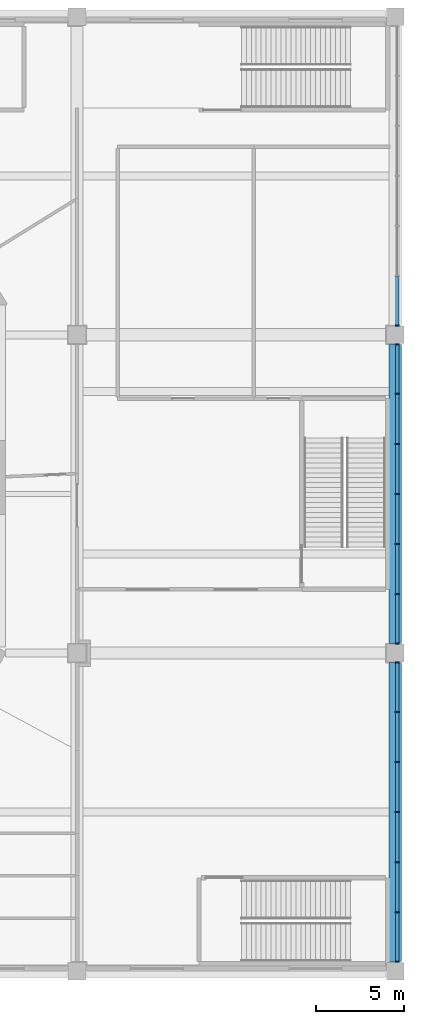
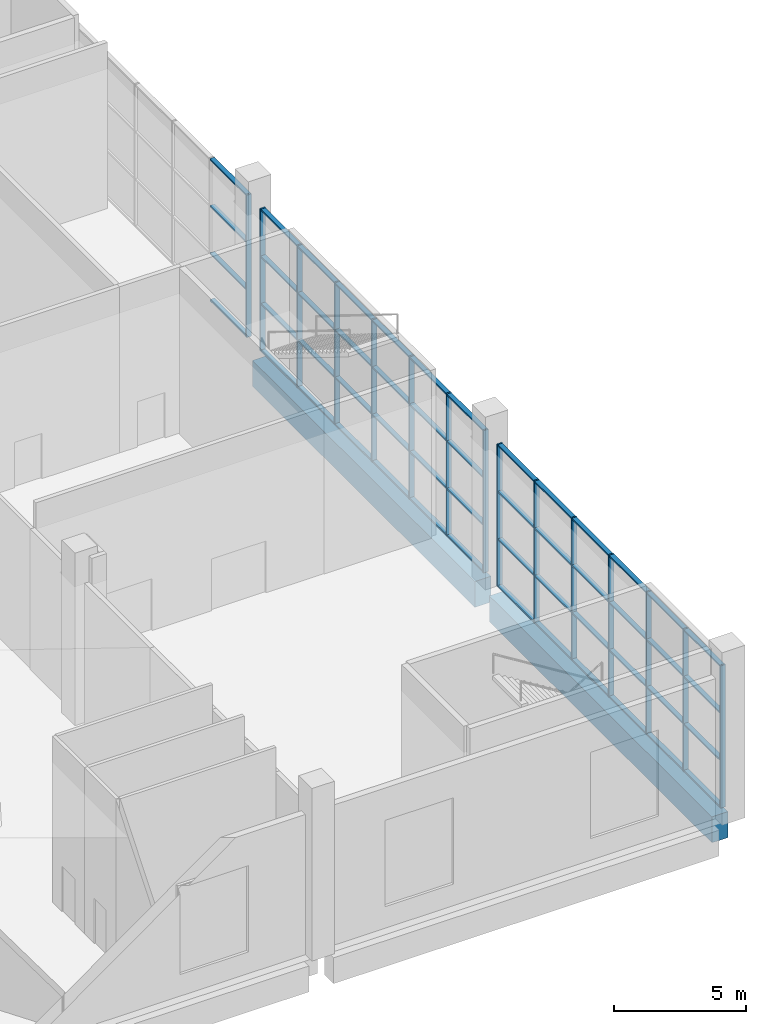
# One storey, part 2 of 15: 67 members, 2 beams, 3 elements without a shape of their own.
"""IFC4 building model written with IfcOpenShell, lengths in metres."""

from ifc_helpers import new_model, si_unit, direction, frame, origin, origin_2d, place, context, subcontext, project, spatial, rectangle, extrude, material, material_profile, profile_set, type_object, element, aggregate, save


model = new_model("IFC4")

# Units and contexts
model_context = context("Model", 3, precision=1e-05, world=origin(), true_north=direction((0.0, 1.0)))
body_context = subcontext(model_context, "Body", "Model", "MODEL_VIEW")
ifc_project = project(units=[si_unit("LENGTHUNIT", "METRE"), si_unit("AREAUNIT", "SQUARE_METRE"), si_unit("VOLUMEUNIT", "CUBIC_METRE"), si_unit("PLANEANGLEUNIT", "RADIAN"), si_unit("MASSUNIT", "GRAM", prefix="KILO")], contexts=[model_context])

# Site, building, storey
site_placement = place(None, origin())
site = spatial("IfcSite", under=ifc_project, at=site_placement, CompositionType="ELEMENT")
building_placement = place(site_placement, origin())
building = spatial("IfcBuilding", under=site, at=building_placement, Name="Vanh Sen Convention Tower", CompositionType="ELEMENT")
storey_placement = place(building_placement, frame((0.0, 0.0, 13.0)))
storey = spatial("IfcBuildingStorey", under=building, at=storey_placement, Name="L02", CompositionType="ELEMENT", Elevation=13.0)

# Curtain wall, members
ifc_material_1 = material(Name="Aluminium structural glazing system", Category="aluminium")
curtain_wall_type = type_object("IfcCurtainWallType", Name="Podium hall structural glazing", PredefinedType="NOTDEFINED", material=ifc_material_1)
curtain_wall_1_placement = place(storey_placement, origin())
curtain_wall_1 = element("IfcCurtainWall", 1, at=curtain_wall_1_placement, inside=storey, type_object=curtain_wall_type, Name="Podium hall glazing 1 L02", PredefinedType="NOTDEFINED")
ifc_material_2 = material(Name="Aluminium mullion", Category="aluminium")
ifc_material_profile_1 = material_profile(ifc_material_2, rectangle(XDim=0.219970703125, YDim=0.070068359375, at=origin_2d()), Name="Hall glazing mullion 70 x 220")
ifc_profile_set_1 = profile_set([ifc_material_profile_1], Name="Aluminium mullion")
member_type_1 = type_object("IfcMemberType", Name="Hall glazing mullion 70 x 220", PredefinedType="MULLION", material=ifc_profile_set_1)
member_1_placement = place(storey_placement, frame((45.110107421875, -26.465087890625, 0.0), z_axis=(0.0, 0.0, 1.0), x_axis=(-1.0, 0.0, 0.0)))
member_1 = element("IfcMember", 2, at=member_1_placement, type_object=member_type_1, Name="CW4 mullion 1", PredefinedType="MULLION", context=body_context, shape_type="SweptSolid", body=[
    extrude(rectangle(XDim=0.219970703125, YDim=0.070068359375, at=origin_2d()), origin(), (0.0, 0.0, 1.0), 6.60009765625),
])
member_2_placement = place(storey_placement, frame((45.110107421875, -23.666748046875, 0.0), z_axis=(0.0, 0.0, 1.0), x_axis=(-1.0, 0.0, 0.0)))
member_2 = element("IfcMember", 3, at=member_2_placement, type_object=member_type_1, Name="CW4 mullion 2", PredefinedType="MULLION", context=body_context, shape_type="SweptSolid", body=[
    extrude(rectangle(XDim=0.219970703125, YDim=0.070068359375, at=origin_2d()), origin(), (0.0, 0.0, 1.0), 6.60009765625),
])
member_3_placement = place(storey_placement, frame((45.110107421875, -20.833251953125, 0.0), z_axis=(0.0, 0.0, 1.0), x_axis=(-1.0, 0.0, 0.0)))
member_3 = element("IfcMember", 4, at=member_3_placement, type_object=member_type_1, Name="CW4 mullion 3", PredefinedType="MULLION", context=body_context, shape_type="SweptSolid", body=[
    extrude(rectangle(XDim=0.219970703125, YDim=0.070068359375, at=origin_2d()), origin(), (0.0, 0.0, 1.0), 6.60009765625),
])
member_4_placement = place(storey_placement, frame((45.110107421875, -18.0, 0.0), z_axis=(0.0, 0.0, 1.0), x_axis=(-1.0, 0.0, 0.0)))
member_4 = element("IfcMember", 5, at=member_4_placement, type_object=member_type_1, Name="CW4 mullion 4", PredefinedType="MULLION", context=body_context, shape_type="SweptSolid", body=[
    extrude(rectangle(XDim=0.219970703125, YDim=0.070068359375, at=origin_2d()), origin(), (0.0, 0.0, 1.0), 6.60009765625),
])
member_5_placement = place(storey_placement, frame((45.110107421875, -15.166748046875, 0.0), z_axis=(0.0, 0.0, 1.0), x_axis=(-1.0, 0.0, 0.0)))
member_5 = element("IfcMember", 6, at=member_5_placement, type_object=member_type_1, Name="CW4 mullion 5", PredefinedType="MULLION", context=body_context, shape_type="SweptSolid", body=[
    extrude(rectangle(XDim=0.219970703125, YDim=0.070068359375, at=origin_2d()), origin(), (0.0, 0.0, 1.0), 6.60009765625),
])
member_6_placement = place(storey_placement, frame((45.110107421875, -12.333251953125, 0.0), z_axis=(0.0, 0.0, 1.0), x_axis=(-1.0, 0.0, 0.0)))
member_6 = element("IfcMember", 7, at=member_6_placement, type_object=member_type_1, Name="CW4 mullion 6", PredefinedType="MULLION", context=body_context, shape_type="SweptSolid", body=[
    extrude(rectangle(XDim=0.219970703125, YDim=0.070068359375, at=origin_2d()), origin(), (0.0, 0.0, 1.0), 6.60009765625),
])
member_7_placement = place(storey_placement, frame((45.110107421875, -9.534912109375, 0.0), z_axis=(0.0, 0.0, 1.0), x_axis=(-1.0, 0.0, 0.0)))
member_7 = element("IfcMember", 8, at=member_7_placement, type_object=member_type_1, Name="CW4 mullion 7", PredefinedType="MULLION", context=body_context, shape_type="SweptSolid", body=[
    extrude(rectangle(XDim=0.219970703125, YDim=0.070068359375, at=origin_2d()), origin(), (0.0, 0.0, 1.0), 6.60009765625),
])

curtain_wall_2_placement = place(storey_placement, origin())
curtain_wall_2 = element("IfcCurtainWall", 9, at=curtain_wall_2_placement, inside=storey, type_object=curtain_wall_type, Name="Podium hall glazing 2 L02", PredefinedType="NOTDEFINED")
member_8_placement = place(storey_placement, frame((45.110107421875, -8.465087890625, 0.0), z_axis=(0.0, 0.0, 1.0), x_axis=(-1.0, 0.0, 0.0)))
member_8 = element("IfcMember", 10, at=member_8_placement, type_object=member_type_1, Name="CW4 mullion 1", PredefinedType="MULLION", context=body_context, shape_type="SweptSolid", body=[
    extrude(rectangle(XDim=0.219970703125, YDim=0.070068359375, at=origin_2d()), origin(), (0.0, 0.0, 1.0), 6.60009765625),
])
member_9_placement = place(storey_placement, frame((45.110107421875, -5.666748046875, 0.0), z_axis=(0.0, 0.0, 1.0), x_axis=(-1.0, 0.0, 0.0)))
member_9 = element("IfcMember", 11, at=member_9_placement, type_object=member_type_1, Name="CW4 mullion 2", PredefinedType="MULLION", context=body_context, shape_type="SweptSolid", body=[
    extrude(rectangle(XDim=0.219970703125, YDim=0.070068359375, at=origin_2d()), origin(), (0.0, 0.0, 1.0), 6.60009765625),
])
member_10_placement = place(storey_placement, frame((45.110107421875, -2.833251953125, 0.0), z_axis=(0.0, 0.0, 1.0), x_axis=(-1.0, 0.0, 0.0)))
member_10 = element("IfcMember", 12, at=member_10_placement, type_object=member_type_1, Name="CW4 mullion 3", PredefinedType="MULLION", context=body_context, shape_type="SweptSolid", body=[
    extrude(rectangle(XDim=0.219970703125, YDim=0.070068359375, at=origin_2d()), origin(), (0.0, 0.0, 1.0), 6.60009765625),
])
member_11_placement = place(storey_placement, frame((45.110107421875, 0.0, 0.0), z_axis=(0.0, 0.0, 1.0), x_axis=(-1.0, 0.0, 0.0)))
member_11 = element("IfcMember", 13, at=member_11_placement, type_object=member_type_1, Name="CW4 mullion 4", PredefinedType="MULLION", context=body_context, shape_type="SweptSolid", body=[
    extrude(rectangle(XDim=0.219970703125, YDim=0.070068359375, at=origin_2d()), origin(), (0.0, 0.0, 1.0), 6.60009765625),
])
member_12_placement = place(storey_placement, frame((45.110107421875, 2.833251953125, 0.0), z_axis=(0.0, 0.0, 1.0), x_axis=(-1.0, 0.0, 0.0)))
member_12 = element("IfcMember", 14, at=member_12_placement, type_object=member_type_1, Name="CW4 mullion 5", PredefinedType="MULLION", context=body_context, shape_type="SweptSolid", body=[
    extrude(rectangle(XDim=0.219970703125, YDim=0.070068359375, at=origin_2d()), origin(), (0.0, 0.0, 1.0), 6.60009765625),
])
member_13_placement = place(storey_placement, frame((45.110107421875, 5.666748046875, 0.0), z_axis=(0.0, 0.0, 1.0), x_axis=(-1.0, 0.0, 0.0)))
member_13 = element("IfcMember", 15, at=member_13_placement, type_object=member_type_1, Name="CW4 mullion 6", PredefinedType="MULLION", context=body_context, shape_type="SweptSolid", body=[
    extrude(rectangle(XDim=0.219970703125, YDim=0.070068359375, at=origin_2d()), origin(), (0.0, 0.0, 1.0), 6.60009765625),
])
member_14_placement = place(storey_placement, frame((45.110107421875, 8.465087890625, 0.0), z_axis=(0.0, 0.0, 1.0), x_axis=(-1.0, 0.0, 0.0)))
member_14 = element("IfcMember", 16, at=member_14_placement, type_object=member_type_1, Name="CW4 mullion 7", PredefinedType="MULLION", context=body_context, shape_type="SweptSolid", body=[
    extrude(rectangle(XDim=0.219970703125, YDim=0.070068359375, at=origin_2d()), origin(), (0.0, 0.0, 1.0), 6.60009765625),
])

# Curtain wall, member
curtain_wall_3_placement = place(storey_placement, origin())
curtain_wall_3 = element("IfcCurtainWall", 17, at=curtain_wall_3_placement, inside=storey, type_object=curtain_wall_type, Name="Podium hall glazing 3 L02", PredefinedType="NOTDEFINED")
member_15_placement = place(storey_placement, frame((45.110107421875, 9.534912109375, 0.0), z_axis=(0.0, 0.0, 1.0), x_axis=(-1.0, 0.0, 0.0)))
member_15 = element("IfcMember", 18, at=member_15_placement, type_object=member_type_1, Name="CW4 mullion 1", PredefinedType="MULLION", context=body_context, shape_type="SweptSolid", body=[
    extrude(rectangle(XDim=0.219970703125, YDim=0.070068359375, at=origin_2d()), origin(), (0.0, 0.0, 1.0), 6.60009765625),
])

# Member
ifc_material_3 = material(Name="Aluminium transom", Category="aluminium")
ifc_material_profile_2 = material_profile(ifc_material_3, rectangle(XDim=0.199951171875, YDim=0.070068359375, at=origin_2d()), Name="Hall glazing transom 200 x 70")
ifc_profile_set_2 = profile_set([ifc_material_profile_2], Name="Aluminium transom")
member_type_2 = type_object("IfcMemberType", Name="Hall glazing transom 200 x 70", PredefinedType="USERDEFINED", material=ifc_profile_set_2)
member_16_placement = place(storey_placement, frame((45.110107421875, -26.429931640625, 0.034912109375), z_axis=(0.0, 1.0, 0.0), x_axis=(-1.0, 0.0, 0.0)))
member_16 = element("IfcMember", 19, at=member_16_placement, type_object=member_type_2, Name="CW4 transom 1.1", ObjectType="TRANSOM", PredefinedType="USERDEFINED", context=body_context, shape_type="SweptSolid", body=[
    extrude(rectangle(XDim=0.199951171875, YDim=0.070068359375, at=origin_2d()), origin(), (0.0, 0.0, 1.0), 2.728271484375),
])

member_17_placement = place(storey_placement, frame((45.110107421875, -26.429931640625, 2.199951171875), z_axis=(0.0, 1.0, 0.0), x_axis=(-1.0, 0.0, 0.0)))
member_17 = element("IfcMember", 20, at=member_17_placement, type_object=member_type_2, Name="CW4 transom 1.2", ObjectType="TRANSOM", PredefinedType="USERDEFINED", context=body_context, shape_type="SweptSolid", body=[
    extrude(rectangle(XDim=0.199951171875, YDim=0.070068359375, at=origin_2d()), origin(), (0.0, 0.0, 1.0), 2.728271484375),
])

member_18_placement = place(storey_placement, frame((45.110107421875, -26.429931640625, 4.39990234375), z_axis=(0.0, 1.0, 0.0), x_axis=(-1.0, 0.0, 0.0)))
member_18 = element("IfcMember", 21, at=member_18_placement, type_object=member_type_2, Name="CW4 transom 1.3", ObjectType="TRANSOM", PredefinedType="USERDEFINED", context=body_context, shape_type="SweptSolid", body=[
    extrude(rectangle(XDim=0.199951171875, YDim=0.070068359375, at=origin_2d()), origin(), (0.0, 0.0, 1.0), 2.728271484375),
])

member_19_placement = place(storey_placement, frame((45.110107421875, -26.429931640625, 6.56494140625), z_axis=(0.0, 1.0, 0.0), x_axis=(-1.0, 0.0, 0.0)))
member_19 = element("IfcMember", 22, at=member_19_placement, type_object=member_type_2, Name="CW4 transom 1.4", ObjectType="TRANSOM", PredefinedType="USERDEFINED", context=body_context, shape_type="SweptSolid", body=[
    extrude(rectangle(XDim=0.199951171875, YDim=0.070068359375, at=origin_2d()), origin(), (0.0, 0.0, 1.0), 2.728271484375),
])

member_20_placement = place(storey_placement, frame((45.110107421875, -23.631591796875, 0.034912109375), z_axis=(0.0, 1.0, 0.0), x_axis=(-1.0, 0.0, 0.0)))
member_20 = element("IfcMember", 23, at=member_20_placement, type_object=member_type_2, Name="CW4 transom 2.1", ObjectType="TRANSOM", PredefinedType="USERDEFINED", context=body_context, shape_type="SweptSolid", body=[
    extrude(rectangle(XDim=0.199951171875, YDim=0.070068359375, at=origin_2d()), origin(), (0.0, 0.0, 1.0), 2.76318359375),
])

member_21_placement = place(storey_placement, frame((45.110107421875, -23.631591796875, 2.199951171875), z_axis=(0.0, 1.0, 0.0), x_axis=(-1.0, 0.0, 0.0)))
member_21 = element("IfcMember", 24, at=member_21_placement, type_object=member_type_2, Name="CW4 transom 2.2", ObjectType="TRANSOM", PredefinedType="USERDEFINED", context=body_context, shape_type="SweptSolid", body=[
    extrude(rectangle(XDim=0.199951171875, YDim=0.070068359375, at=origin_2d()), origin(), (0.0, 0.0, 1.0), 2.76318359375),
])

member_22_placement = place(storey_placement, frame((45.110107421875, -23.631591796875, 4.39990234375), z_axis=(0.0, 1.0, 0.0), x_axis=(-1.0, 0.0, 0.0)))
member_22 = element("IfcMember", 25, at=member_22_placement, type_object=member_type_2, Name="CW4 transom 2.3", ObjectType="TRANSOM", PredefinedType="USERDEFINED", context=body_context, shape_type="SweptSolid", body=[
    extrude(rectangle(XDim=0.199951171875, YDim=0.070068359375, at=origin_2d()), origin(), (0.0, 0.0, 1.0), 2.76318359375),
])

member_23_placement = place(storey_placement, frame((45.110107421875, -23.631591796875, 6.56494140625), z_axis=(0.0, 1.0, 0.0), x_axis=(-1.0, 0.0, 0.0)))
member_23 = element("IfcMember", 26, at=member_23_placement, type_object=member_type_2, Name="CW4 transom 2.4", ObjectType="TRANSOM", PredefinedType="USERDEFINED", context=body_context, shape_type="SweptSolid", body=[
    extrude(rectangle(XDim=0.199951171875, YDim=0.070068359375, at=origin_2d()), origin(), (0.0, 0.0, 1.0), 2.76318359375),
])

member_24_placement = place(storey_placement, frame((45.110107421875, -20.79833984375, 0.034912109375), z_axis=(0.0, 1.0, 0.0), x_axis=(-1.0, 0.0, 0.0)))
member_24 = element("IfcMember", 27, at=member_24_placement, type_object=member_type_2, Name="CW4 transom 3.1", ObjectType="TRANSOM", PredefinedType="USERDEFINED", context=body_context, shape_type="SweptSolid", body=[
    extrude(rectangle(XDim=0.199951171875, YDim=0.070068359375, at=origin_2d()), origin(), (0.0, 0.0, 1.0), 2.763427734375),
])

member_25_placement = place(storey_placement, frame((45.110107421875, -20.79833984375, 2.199951171875), z_axis=(0.0, 1.0, 0.0), x_axis=(-1.0, 0.0, 0.0)))
member_25 = element("IfcMember", 28, at=member_25_placement, type_object=member_type_2, Name="CW4 transom 3.2", ObjectType="TRANSOM", PredefinedType="USERDEFINED", context=body_context, shape_type="SweptSolid", body=[
    extrude(rectangle(XDim=0.199951171875, YDim=0.070068359375, at=origin_2d()), origin(), (0.0, 0.0, 1.0), 2.763427734375),
])

member_26_placement = place(storey_placement, frame((45.110107421875, -20.79833984375, 4.39990234375), z_axis=(0.0, 1.0, 0.0), x_axis=(-1.0, 0.0, 0.0)))
member_26 = element("IfcMember", 29, at=member_26_placement, type_object=member_type_2, Name="CW4 transom 3.3", ObjectType="TRANSOM", PredefinedType="USERDEFINED", context=body_context, shape_type="SweptSolid", body=[
    extrude(rectangle(XDim=0.199951171875, YDim=0.070068359375, at=origin_2d()), origin(), (0.0, 0.0, 1.0), 2.763427734375),
])

member_27_placement = place(storey_placement, frame((45.110107421875, -20.79833984375, 6.56494140625), z_axis=(0.0, 1.0, 0.0), x_axis=(-1.0, 0.0, 0.0)))
member_27 = element("IfcMember", 30, at=member_27_placement, type_object=member_type_2, Name="CW4 transom 3.4", ObjectType="TRANSOM", PredefinedType="USERDEFINED", context=body_context, shape_type="SweptSolid", body=[
    extrude(rectangle(XDim=0.199951171875, YDim=0.070068359375, at=origin_2d()), origin(), (0.0, 0.0, 1.0), 2.763427734375),
])

member_28_placement = place(storey_placement, frame((45.110107421875, -17.965087890625, 0.034912109375), z_axis=(0.0, 1.0, 0.0), x_axis=(-1.0, 0.0, 0.0)))
member_28 = element("IfcMember", 31, at=member_28_placement, type_object=member_type_2, Name="CW4 transom 4.1", ObjectType="TRANSOM", PredefinedType="USERDEFINED", context=body_context, shape_type="SweptSolid", body=[
    extrude(rectangle(XDim=0.199951171875, YDim=0.070068359375, at=origin_2d()), origin(), (0.0, 0.0, 1.0), 2.763427734375),
])

member_29_placement = place(storey_placement, frame((45.110107421875, -17.965087890625, 2.199951171875), z_axis=(0.0, 1.0, 0.0), x_axis=(-1.0, 0.0, 0.0)))
member_29 = element("IfcMember", 32, at=member_29_placement, type_object=member_type_2, Name="CW4 transom 4.2", ObjectType="TRANSOM", PredefinedType="USERDEFINED", context=body_context, shape_type="SweptSolid", body=[
    extrude(rectangle(XDim=0.199951171875, YDim=0.070068359375, at=origin_2d()), origin(), (0.0, 0.0, 1.0), 2.763427734375),
])

member_30_placement = place(storey_placement, frame((45.110107421875, -17.965087890625, 4.39990234375), z_axis=(0.0, 1.0, 0.0), x_axis=(-1.0, 0.0, 0.0)))
member_30 = element("IfcMember", 33, at=member_30_placement, type_object=member_type_2, Name="CW4 transom 4.3", ObjectType="TRANSOM", PredefinedType="USERDEFINED", context=body_context, shape_type="SweptSolid", body=[
    extrude(rectangle(XDim=0.199951171875, YDim=0.070068359375, at=origin_2d()), origin(), (0.0, 0.0, 1.0), 2.763427734375),
])

member_31_placement = place(storey_placement, frame((45.110107421875, -17.965087890625, 6.56494140625), z_axis=(0.0, 1.0, 0.0), x_axis=(-1.0, 0.0, 0.0)))
member_31 = element("IfcMember", 34, at=member_31_placement, type_object=member_type_2, Name="CW4 transom 4.4", ObjectType="TRANSOM", PredefinedType="USERDEFINED", context=body_context, shape_type="SweptSolid", body=[
    extrude(rectangle(XDim=0.199951171875, YDim=0.070068359375, at=origin_2d()), origin(), (0.0, 0.0, 1.0), 2.763427734375),
])

member_32_placement = place(storey_placement, frame((45.110107421875, -15.131591796875, 0.034912109375), z_axis=(0.0, 1.0, 0.0), x_axis=(-1.0, 0.0, 0.0)))
member_32 = element("IfcMember", 35, at=member_32_placement, type_object=member_type_2, Name="CW4 transom 5.1", ObjectType="TRANSOM", PredefinedType="USERDEFINED", context=body_context, shape_type="SweptSolid", body=[
    extrude(rectangle(XDim=0.199951171875, YDim=0.070068359375, at=origin_2d()), origin(), (0.0, 0.0, 1.0), 2.76318359375),
])

member_33_placement = place(storey_placement, frame((45.110107421875, -15.131591796875, 2.199951171875), z_axis=(0.0, 1.0, 0.0), x_axis=(-1.0, 0.0, 0.0)))
member_33 = element("IfcMember", 36, at=member_33_placement, type_object=member_type_2, Name="CW4 transom 5.2", ObjectType="TRANSOM", PredefinedType="USERDEFINED", context=body_context, shape_type="SweptSolid", body=[
    extrude(rectangle(XDim=0.199951171875, YDim=0.070068359375, at=origin_2d()), origin(), (0.0, 0.0, 1.0), 2.76318359375),
])

member_34_placement = place(storey_placement, frame((45.110107421875, -15.131591796875, 4.39990234375), z_axis=(0.0, 1.0, 0.0), x_axis=(-1.0, 0.0, 0.0)))
member_34 = element("IfcMember", 37, at=member_34_placement, type_object=member_type_2, Name="CW4 transom 5.3", ObjectType="TRANSOM", PredefinedType="USERDEFINED", context=body_context, shape_type="SweptSolid", body=[
    extrude(rectangle(XDim=0.199951171875, YDim=0.070068359375, at=origin_2d()), origin(), (0.0, 0.0, 1.0), 2.76318359375),
])

member_35_placement = place(storey_placement, frame((45.110107421875, -15.131591796875, 6.56494140625), z_axis=(0.0, 1.0, 0.0), x_axis=(-1.0, 0.0, 0.0)))
member_35 = element("IfcMember", 38, at=member_35_placement, type_object=member_type_2, Name="CW4 transom 5.4", ObjectType="TRANSOM", PredefinedType="USERDEFINED", context=body_context, shape_type="SweptSolid", body=[
    extrude(rectangle(XDim=0.199951171875, YDim=0.070068359375, at=origin_2d()), origin(), (0.0, 0.0, 1.0), 2.76318359375),
])

member_36_placement = place(storey_placement, frame((45.110107421875, -12.29833984375, 0.034912109375), z_axis=(0.0, 1.0, 0.0), x_axis=(-1.0, 0.0, 0.0)))
member_36 = element("IfcMember", 39, at=member_36_placement, type_object=member_type_2, Name="CW4 transom 6.1", ObjectType="TRANSOM", PredefinedType="USERDEFINED", context=body_context, shape_type="SweptSolid", body=[
    extrude(rectangle(XDim=0.199951171875, YDim=0.070068359375, at=origin_2d()), origin(), (0.0, 0.0, 1.0), 2.728271484375),
])

member_37_placement = place(storey_placement, frame((45.110107421875, -12.29833984375, 2.199951171875), z_axis=(0.0, 1.0, 0.0), x_axis=(-1.0, 0.0, 0.0)))
member_37 = element("IfcMember", 40, at=member_37_placement, type_object=member_type_2, Name="CW4 transom 6.2", ObjectType="TRANSOM", PredefinedType="USERDEFINED", context=body_context, shape_type="SweptSolid", body=[
    extrude(rectangle(XDim=0.199951171875, YDim=0.070068359375, at=origin_2d()), origin(), (0.0, 0.0, 1.0), 2.728271484375),
])

member_38_placement = place(storey_placement, frame((45.110107421875, -12.29833984375, 4.39990234375), z_axis=(0.0, 1.0, 0.0), x_axis=(-1.0, 0.0, 0.0)))
member_38 = element("IfcMember", 41, at=member_38_placement, type_object=member_type_2, Name="CW4 transom 6.3", ObjectType="TRANSOM", PredefinedType="USERDEFINED", context=body_context, shape_type="SweptSolid", body=[
    extrude(rectangle(XDim=0.199951171875, YDim=0.070068359375, at=origin_2d()), origin(), (0.0, 0.0, 1.0), 2.728271484375),
])

member_39_placement = place(storey_placement, frame((45.110107421875, -12.29833984375, 6.56494140625), z_axis=(0.0, 1.0, 0.0), x_axis=(-1.0, 0.0, 0.0)))
member_39 = element("IfcMember", 42, at=member_39_placement, type_object=member_type_2, Name="CW4 transom 6.4", ObjectType="TRANSOM", PredefinedType="USERDEFINED", context=body_context, shape_type="SweptSolid", body=[
    extrude(rectangle(XDim=0.199951171875, YDim=0.070068359375, at=origin_2d()), origin(), (0.0, 0.0, 1.0), 2.728271484375),
])

aggregate(curtain_wall_1, [member_1, member_2, member_3, member_4, member_5, member_6, member_7, member_16, member_17, member_18, member_19, member_20, member_21, member_22, member_23, member_24, member_25, member_26, member_27, member_28, member_29, member_30, member_31, member_32, member_33, member_34, member_35, member_36, member_37, member_38, member_39])

member_40_placement = place(storey_placement, frame((45.110107421875, -8.429931640625, 0.034912109375), z_axis=(0.0, 1.0, 0.0), x_axis=(-1.0, 0.0, 0.0)))
member_40 = element("IfcMember", 43, at=member_40_placement, type_object=member_type_2, Name="CW4 transom 1.1", ObjectType="TRANSOM", PredefinedType="USERDEFINED", context=body_context, shape_type="SweptSolid", body=[
    extrude(rectangle(XDim=0.199951171875, YDim=0.070068359375, at=origin_2d()), origin(), (0.0, 0.0, 1.0), 2.728271484375),
])

member_41_placement = place(storey_placement, frame((45.110107421875, -8.429931640625, 2.199951171875), z_axis=(0.0, 1.0, 0.0), x_axis=(-1.0, 0.0, 0.0)))
member_41 = element("IfcMember", 44, at=member_41_placement, type_object=member_type_2, Name="CW4 transom 1.2", ObjectType="TRANSOM", PredefinedType="USERDEFINED", context=body_context, shape_type="SweptSolid", body=[
    extrude(rectangle(XDim=0.199951171875, YDim=0.070068359375, at=origin_2d()), origin(), (0.0, 0.0, 1.0), 2.728271484375),
])

member_42_placement = place(storey_placement, frame((45.110107421875, -8.429931640625, 4.39990234375), z_axis=(0.0, 1.0, 0.0), x_axis=(-1.0, 0.0, 0.0)))
member_42 = element("IfcMember", 45, at=member_42_placement, type_object=member_type_2, Name="CW4 transom 1.3", ObjectType="TRANSOM", PredefinedType="USERDEFINED", context=body_context, shape_type="SweptSolid", body=[
    extrude(rectangle(XDim=0.199951171875, YDim=0.070068359375, at=origin_2d()), origin(), (0.0, 0.0, 1.0), 2.728271484375),
])

member_43_placement = place(storey_placement, frame((45.110107421875, -8.429931640625, 6.56494140625), z_axis=(0.0, 1.0, 0.0), x_axis=(-1.0, 0.0, 0.0)))
member_43 = element("IfcMember", 46, at=member_43_placement, type_object=member_type_2, Name="CW4 transom 1.4", ObjectType="TRANSOM", PredefinedType="USERDEFINED", context=body_context, shape_type="SweptSolid", body=[
    extrude(rectangle(XDim=0.199951171875, YDim=0.070068359375, at=origin_2d()), origin(), (0.0, 0.0, 1.0), 2.728271484375),
])

member_44_placement = place(storey_placement, frame((45.110107421875, -5.631591796875, 0.034912109375), z_axis=(0.0, 1.0, 0.0), x_axis=(-1.0, 0.0, 0.0)))
member_44 = element("IfcMember", 47, at=member_44_placement, type_object=member_type_2, Name="CW4 transom 2.1", ObjectType="TRANSOM", PredefinedType="USERDEFINED", context=body_context, shape_type="SweptSolid", body=[
    extrude(rectangle(XDim=0.199951171875, YDim=0.070068359375, at=origin_2d()), origin(), (0.0, 0.0, 1.0), 2.76318359375),
])

member_45_placement = place(storey_placement, frame((45.110107421875, -5.631591796875, 2.199951171875), z_axis=(0.0, 1.0, 0.0), x_axis=(-1.0, 0.0, 0.0)))
member_45 = element("IfcMember", 48, at=member_45_placement, type_object=member_type_2, Name="CW4 transom 2.2", ObjectType="TRANSOM", PredefinedType="USERDEFINED", context=body_context, shape_type="SweptSolid", body=[
    extrude(rectangle(XDim=0.199951171875, YDim=0.070068359375, at=origin_2d()), origin(), (0.0, 0.0, 1.0), 2.76318359375),
])

member_46_placement = place(storey_placement, frame((45.110107421875, -5.631591796875, 4.39990234375), z_axis=(0.0, 1.0, 0.0), x_axis=(-1.0, 0.0, 0.0)))
member_46 = element("IfcMember", 49, at=member_46_placement, type_object=member_type_2, Name="CW4 transom 2.3", ObjectType="TRANSOM", PredefinedType="USERDEFINED", context=body_context, shape_type="SweptSolid", body=[
    extrude(rectangle(XDim=0.199951171875, YDim=0.070068359375, at=origin_2d()), origin(), (0.0, 0.0, 1.0), 2.76318359375),
])

member_47_placement = place(storey_placement, frame((45.110107421875, -5.631591796875, 6.56494140625), z_axis=(0.0, 1.0, 0.0), x_axis=(-1.0, 0.0, 0.0)))
member_47 = element("IfcMember", 50, at=member_47_placement, type_object=member_type_2, Name="CW4 transom 2.4", ObjectType="TRANSOM", PredefinedType="USERDEFINED", context=body_context, shape_type="SweptSolid", body=[
    extrude(rectangle(XDim=0.199951171875, YDim=0.070068359375, at=origin_2d()), origin(), (0.0, 0.0, 1.0), 2.76318359375),
])

member_48_placement = place(storey_placement, frame((45.110107421875, -2.79833984375, 0.034912109375), z_axis=(0.0, 1.0, 0.0), x_axis=(-1.0, 0.0, 0.0)))
member_48 = element("IfcMember", 51, at=member_48_placement, type_object=member_type_2, Name="CW4 transom 3.1", ObjectType="TRANSOM", PredefinedType="USERDEFINED", context=body_context, shape_type="SweptSolid", body=[
    extrude(rectangle(XDim=0.199951171875, YDim=0.070068359375, at=origin_2d()), origin(), (0.0, 0.0, 1.0), 2.763427734375),
])

member_49_placement = place(storey_placement, frame((45.110107421875, -2.79833984375, 2.199951171875), z_axis=(0.0, 1.0, 0.0), x_axis=(-1.0, 0.0, 0.0)))
member_49 = element("IfcMember", 52, at=member_49_placement, type_object=member_type_2, Name="CW4 transom 3.2", ObjectType="TRANSOM", PredefinedType="USERDEFINED", context=body_context, shape_type="SweptSolid", body=[
    extrude(rectangle(XDim=0.199951171875, YDim=0.070068359375, at=origin_2d()), origin(), (0.0, 0.0, 1.0), 2.763427734375),
])

member_50_placement = place(storey_placement, frame((45.110107421875, -2.79833984375, 4.39990234375), z_axis=(0.0, 1.0, 0.0), x_axis=(-1.0, 0.0, 0.0)))
member_50 = element("IfcMember", 53, at=member_50_placement, type_object=member_type_2, Name="CW4 transom 3.3", ObjectType="TRANSOM", PredefinedType="USERDEFINED", context=body_context, shape_type="SweptSolid", body=[
    extrude(rectangle(XDim=0.199951171875, YDim=0.070068359375, at=origin_2d()), origin(), (0.0, 0.0, 1.0), 2.763427734375),
])

member_51_placement = place(storey_placement, frame((45.110107421875, -2.79833984375, 6.56494140625), z_axis=(0.0, 1.0, 0.0), x_axis=(-1.0, 0.0, 0.0)))
member_51 = element("IfcMember", 54, at=member_51_placement, type_object=member_type_2, Name="CW4 transom 3.4", ObjectType="TRANSOM", PredefinedType="USERDEFINED", context=body_context, shape_type="SweptSolid", body=[
    extrude(rectangle(XDim=0.199951171875, YDim=0.070068359375, at=origin_2d()), origin(), (0.0, 0.0, 1.0), 2.763427734375),
])

member_52_placement = place(storey_placement, frame((45.110107421875, 0.034912109375, 0.034912109375), z_axis=(0.0, 1.0, 0.0), x_axis=(-1.0, 0.0, 0.0)))
member_52 = element("IfcMember", 55, at=member_52_placement, type_object=member_type_2, Name="CW4 transom 4.1", ObjectType="TRANSOM", PredefinedType="USERDEFINED", context=body_context, shape_type="SweptSolid", body=[
    extrude(rectangle(XDim=0.199951171875, YDim=0.070068359375, at=origin_2d()), origin(), (0.0, 0.0, 1.0), 2.763427734375),
])

member_53_placement = place(storey_placement, frame((45.110107421875, 0.034912109375, 2.199951171875), z_axis=(0.0, 1.0, 0.0), x_axis=(-1.0, 0.0, 0.0)))
member_53 = element("IfcMember", 56, at=member_53_placement, type_object=member_type_2, Name="CW4 transom 4.2", ObjectType="TRANSOM", PredefinedType="USERDEFINED", context=body_context, shape_type="SweptSolid", body=[
    extrude(rectangle(XDim=0.199951171875, YDim=0.070068359375, at=origin_2d()), origin(), (0.0, 0.0, 1.0), 2.763427734375),
])

member_54_placement = place(storey_placement, frame((45.110107421875, 0.034912109375, 4.39990234375), z_axis=(0.0, 1.0, 0.0), x_axis=(-1.0, 0.0, 0.0)))
member_54 = element("IfcMember", 57, at=member_54_placement, type_object=member_type_2, Name="CW4 transom 4.3", ObjectType="TRANSOM", PredefinedType="USERDEFINED", context=body_context, shape_type="SweptSolid", body=[
    extrude(rectangle(XDim=0.199951171875, YDim=0.070068359375, at=origin_2d()), origin(), (0.0, 0.0, 1.0), 2.763427734375),
])

member_55_placement = place(storey_placement, frame((45.110107421875, 0.034912109375, 6.56494140625), z_axis=(0.0, 1.0, 0.0), x_axis=(-1.0, 0.0, 0.0)))
member_55 = element("IfcMember", 58, at=member_55_placement, type_object=member_type_2, Name="CW4 transom 4.4", ObjectType="TRANSOM", PredefinedType="USERDEFINED", context=body_context, shape_type="SweptSolid", body=[
    extrude(rectangle(XDim=0.199951171875, YDim=0.070068359375, at=origin_2d()), origin(), (0.0, 0.0, 1.0), 2.763427734375),
])

member_56_placement = place(storey_placement, frame((45.110107421875, 2.868408203125, 0.034912109375), z_axis=(0.0, 1.0, 0.0), x_axis=(-1.0, 0.0, 0.0)))
member_56 = element("IfcMember", 59, at=member_56_placement, type_object=member_type_2, Name="CW4 transom 5.1", ObjectType="TRANSOM", PredefinedType="USERDEFINED", context=body_context, shape_type="SweptSolid", body=[
    extrude(rectangle(XDim=0.199951171875, YDim=0.070068359375, at=origin_2d()), origin(), (0.0, 0.0, 1.0), 2.76318359375),
])

member_57_placement = place(storey_placement, frame((45.110107421875, 2.868408203125, 2.199951171875), z_axis=(0.0, 1.0, 0.0), x_axis=(-1.0, 0.0, 0.0)))
member_57 = element("IfcMember", 60, at=member_57_placement, type_object=member_type_2, Name="CW4 transom 5.2", ObjectType="TRANSOM", PredefinedType="USERDEFINED", context=body_context, shape_type="SweptSolid", body=[
    extrude(rectangle(XDim=0.199951171875, YDim=0.070068359375, at=origin_2d()), origin(), (0.0, 0.0, 1.0), 2.76318359375),
])

member_58_placement = place(storey_placement, frame((45.110107421875, 2.868408203125, 4.39990234375), z_axis=(0.0, 1.0, 0.0), x_axis=(-1.0, 0.0, 0.0)))
member_58 = element("IfcMember", 61, at=member_58_placement, type_object=member_type_2, Name="CW4 transom 5.3", ObjectType="TRANSOM", PredefinedType="USERDEFINED", context=body_context, shape_type="SweptSolid", body=[
    extrude(rectangle(XDim=0.199951171875, YDim=0.070068359375, at=origin_2d()), origin(), (0.0, 0.0, 1.0), 2.76318359375),
])

member_59_placement = place(storey_placement, frame((45.110107421875, 2.868408203125, 6.56494140625), z_axis=(0.0, 1.0, 0.0), x_axis=(-1.0, 0.0, 0.0)))
member_59 = element("IfcMember", 62, at=member_59_placement, type_object=member_type_2, Name="CW4 transom 5.4", ObjectType="TRANSOM", PredefinedType="USERDEFINED", context=body_context, shape_type="SweptSolid", body=[
    extrude(rectangle(XDim=0.199951171875, YDim=0.070068359375, at=origin_2d()), origin(), (0.0, 0.0, 1.0), 2.76318359375),
])

member_60_placement = place(storey_placement, frame((45.110107421875, 5.70166015625, 0.034912109375), z_axis=(0.0, 1.0, 0.0), x_axis=(-1.0, 0.0, 0.0)))
member_60 = element("IfcMember", 63, at=member_60_placement, type_object=member_type_2, Name="CW4 transom 6.1", ObjectType="TRANSOM", PredefinedType="USERDEFINED", context=body_context, shape_type="SweptSolid", body=[
    extrude(rectangle(XDim=0.199951171875, YDim=0.070068359375, at=origin_2d()), origin(), (0.0, 0.0, 1.0), 2.728271484375),
])

member_61_placement = place(storey_placement, frame((45.110107421875, 5.70166015625, 2.199951171875), z_axis=(0.0, 1.0, 0.0), x_axis=(-1.0, 0.0, 0.0)))
member_61 = element("IfcMember", 64, at=member_61_placement, type_object=member_type_2, Name="CW4 transom 6.2", ObjectType="TRANSOM", PredefinedType="USERDEFINED", context=body_context, shape_type="SweptSolid", body=[
    extrude(rectangle(XDim=0.199951171875, YDim=0.070068359375, at=origin_2d()), origin(), (0.0, 0.0, 1.0), 2.728271484375),
])

member_62_placement = place(storey_placement, frame((45.110107421875, 5.70166015625, 4.39990234375), z_axis=(0.0, 1.0, 0.0), x_axis=(-1.0, 0.0, 0.0)))
member_62 = element("IfcMember", 65, at=member_62_placement, type_object=member_type_2, Name="CW4 transom 6.3", ObjectType="TRANSOM", PredefinedType="USERDEFINED", context=body_context, shape_type="SweptSolid", body=[
    extrude(rectangle(XDim=0.199951171875, YDim=0.070068359375, at=origin_2d()), origin(), (0.0, 0.0, 1.0), 2.728271484375),
])

member_63_placement = place(storey_placement, frame((45.110107421875, 5.70166015625, 6.56494140625), z_axis=(0.0, 1.0, 0.0), x_axis=(-1.0, 0.0, 0.0)))
member_63 = element("IfcMember", 66, at=member_63_placement, type_object=member_type_2, Name="CW4 transom 6.4", ObjectType="TRANSOM", PredefinedType="USERDEFINED", context=body_context, shape_type="SweptSolid", body=[
    extrude(rectangle(XDim=0.199951171875, YDim=0.070068359375, at=origin_2d()), origin(), (0.0, 0.0, 1.0), 2.728271484375),
])

aggregate(curtain_wall_2, [member_8, member_9, member_10, member_11, member_12, member_13, member_14, member_40, member_41, member_42, member_43, member_44, member_45, member_46, member_47, member_48, member_49, member_50, member_51, member_52, member_53, member_54, member_55, member_56, member_57, member_58, member_59, member_60, member_61, member_62, member_63])

member_64_placement = place(storey_placement, frame((45.110107421875, 9.570068359375, 0.034912109375), z_axis=(0.0, 1.0, 0.0), x_axis=(-1.0, 0.0, 0.0)))
member_64 = element("IfcMember", 67, at=member_64_placement, type_object=member_type_2, Name="CW4 transom 1.1", ObjectType="TRANSOM", PredefinedType="USERDEFINED", context=body_context, shape_type="SweptSolid", body=[
    extrude(rectangle(XDim=0.199951171875, YDim=0.070068359375, at=origin_2d()), origin(), (0.0, 0.0, 1.0), 2.728271484375),
])

member_65_placement = place(storey_placement, frame((45.110107421875, 9.570068359375, 2.199951171875), z_axis=(0.0, 1.0, 0.0), x_axis=(-1.0, 0.0, 0.0)))
member_65 = element("IfcMember", 68, at=member_65_placement, type_object=member_type_2, Name="CW4 transom 1.2", ObjectType="TRANSOM", PredefinedType="USERDEFINED", context=body_context, shape_type="SweptSolid", body=[
    extrude(rectangle(XDim=0.199951171875, YDim=0.070068359375, at=origin_2d()), origin(), (0.0, 0.0, 1.0), 2.728271484375),
])

member_66_placement = place(storey_placement, frame((45.110107421875, 9.570068359375, 4.39990234375), z_axis=(0.0, 1.0, 0.0), x_axis=(-1.0, 0.0, 0.0)))
member_66 = element("IfcMember", 69, at=member_66_placement, type_object=member_type_2, Name="CW4 transom 1.3", ObjectType="TRANSOM", PredefinedType="USERDEFINED", context=body_context, shape_type="SweptSolid", body=[
    extrude(rectangle(XDim=0.199951171875, YDim=0.070068359375, at=origin_2d()), origin(), (0.0, 0.0, 1.0), 2.728271484375),
])

member_67_placement = place(storey_placement, frame((45.110107421875, 9.570068359375, 6.56494140625), z_axis=(0.0, 1.0, 0.0), x_axis=(-1.0, 0.0, 0.0)))
member_67 = element("IfcMember", 70, at=member_67_placement, type_object=member_type_2, Name="CW4 transom 1.4", ObjectType="TRANSOM", PredefinedType="USERDEFINED", context=body_context, shape_type="SweptSolid", body=[
    extrude(rectangle(XDim=0.199951171875, YDim=0.070068359375, at=origin_2d()), origin(), (0.0, 0.0, 1.0), 2.728271484375),
])

aggregate(curtain_wall_3, [member_15, member_64, member_65, member_66, member_67])

# Beams
ifc_material_4 = material(Name="Concrete C50/60", Category="concrete")
ifc_material_profile_3 = material_profile(ifc_material_4, rectangle(XDim=0.699951171875, YDim=1.199951171875, at=origin_2d()), Name="RC 700X1200")
ifc_profile_set_3 = profile_set([ifc_material_profile_3], Name="Concrete C50/60")
beam_type = type_object("IfcBeamType", Name="Podium girder 700 x 1200", PredefinedType="BEAM", material=ifc_profile_set_3)
for number, where, z_axis, x_axis, name in (
    (71, (45.0, -26.455078125, -0.89990234375), (0.0, 1.0, 0.0), (-1.0, 0.0, 0.0), "Podium girder 11 L02"),
    (72, (45.0, -8.455078125, -0.89990234375), (0.0, 1.0, 0.0), (-1.0, 0.0, 0.0), "Podium girder 12 L02"),
):
    element("IfcBeam", number, at=place(storey_placement, frame(where, z_axis=z_axis, x_axis=x_axis)), inside=storey, type_object=beam_type, Name=name, PredefinedType="BEAM", context=body_context, shape_type="SweptSolid", body=[
        extrude(rectangle(XDim=0.699951171875, YDim=1.199951171875, at=origin_2d()), origin(), (0.0, 0.0, 1.0), 16.91015625),
    ])

save(model, "model.ifc")
